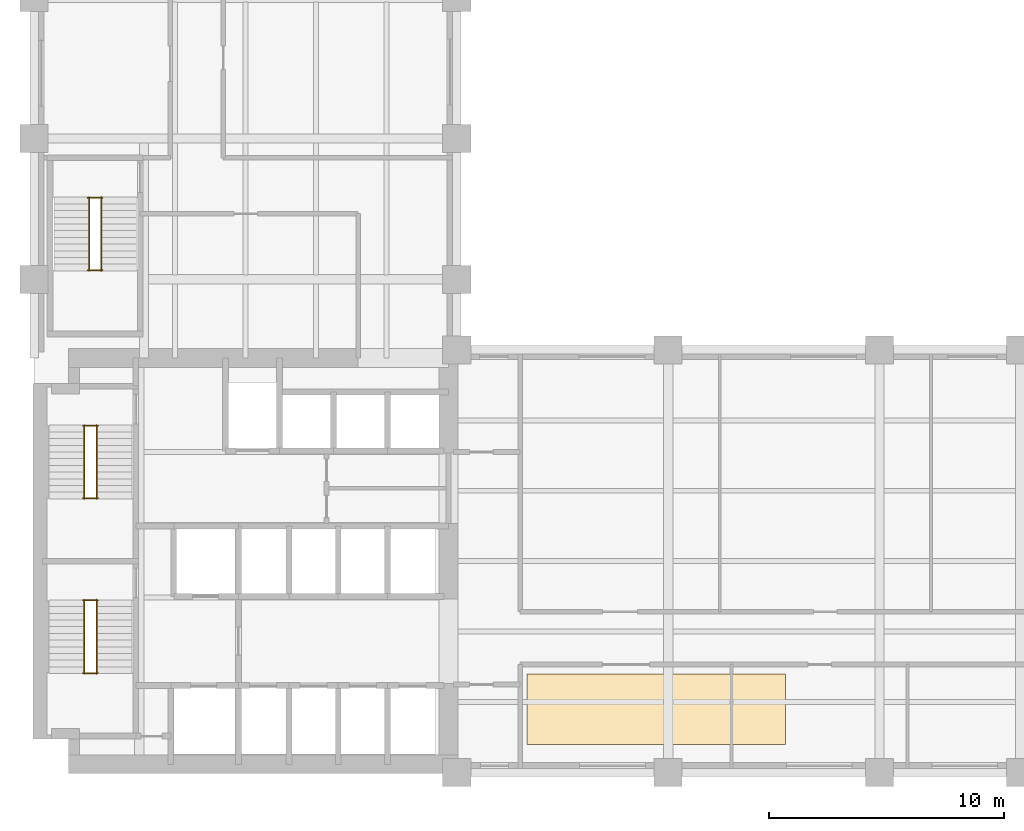
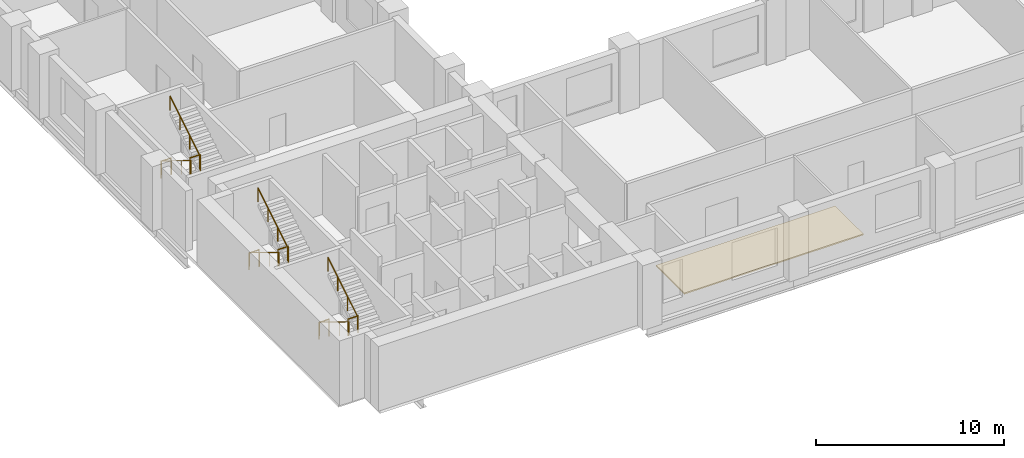
# One storey, part 7 of 7: 12 railings, 1 covering.
"""IFC4 building model written with IfcOpenShell, lengths in metres."""

from ifc_helpers import new_model, si_unit, direction, frame, origin, origin_2d, place, context, subcontext, project, spatial, polyline, circle, outline, extrude, material, layer, layer_set, type_object, element, save


model = new_model("IFC4")

# Units and contexts
model_context = context("Model", 3, precision=1e-05, world=origin(), true_north=direction((0.0, 1.0)))
body_context = subcontext(model_context, "Body", "Model", "MODEL_VIEW")
ifc_project = project(units=[si_unit("LENGTHUNIT", "METRE"), si_unit("AREAUNIT", "SQUARE_METRE"), si_unit("VOLUMEUNIT", "CUBIC_METRE"), si_unit("PLANEANGLEUNIT", "RADIAN"), si_unit("MASSUNIT", "GRAM", prefix="KILO")], contexts=[model_context])

# Site, building, storey
site_placement = place(None, origin())
site = spatial("IfcSite", under=ifc_project, at=site_placement, CompositionType="ELEMENT")
building_placement = place(site_placement, origin())
building = spatial("IfcBuilding", under=site, at=building_placement, Name="Mawjdan Bourse Tower", CompositionType="ELEMENT")
storey_placement = place(building_placement, frame((0.0, 0.0, 80.39990234375)))
storey = spatial("IfcBuildingStorey", under=building, at=storey_placement, Name="L18", CompositionType="ELEMENT", Elevation=80.39990234375)

# Covering
ifc_material_1 = material(Name="Calcium Sulphate Antistatic Raised Floor Tile")
ifc_layer = layer(ifc_material_1, 0.080078125)
ifc_layer_set = layer_set([ifc_layer], Name="Calcium Sulphate Antistatic Raised Floor Tile")
covering_type = type_object("IfcCoveringType", Name="COV-FLR-450", PredefinedType="FLOORING", material=ifc_layer_set)
covering_placement = place(storey_placement, origin())
element("IfcCovering", 1, at=covering_placement, inside=storey, type_object=covering_type, Name="L18 Antistatic Raised Access Trading Floor", PredefinedType="FLOORING", context=body_context, shape_type="SweptSolid", body=[
    extrude(outline(polyline([(27.0, 4.199951171875), (38.0, 4.199951171875), (38.0, 7.199951171875), (27.0, 7.199951171875), (27.0, 4.199951171875)])), origin(), (0.0, 0.0, 1.0), 0.080078125),
])

# Railings
ifc_material_2 = material(Name="Structural Steel S355", Category="steel")
railing_type_1 = type_object("IfcRailingType", Name="RLG-GRD-1100", PredefinedType="GUARDRAIL", material=ifc_material_2)
for number, where, name in (
    (2, (8.090087890625, 7.235107421875, 2.10009765625), "L18 ST1 Landing Guardrail GL-MID"),
    (3, (8.090087890625, 10.330078125, 0.0), "L18 ST1 Landing Guardrail GL-BOT"),
    (4, (8.090087890625, 14.675048828125, 2.10009765625), "L18 ST2 Landing Guardrail GL-MID"),
    (5, (8.090087890625, 17.77001953125, 0.0), "L18 ST2 Landing Guardrail GL-BOT"),
    (6, (8.2900390625, 24.385009765625, 2.10009765625), "L18 ST3 Landing Guardrail GL-MID"),
    (7, (8.2900390625, 27.47998046875, 0.0), "L18 ST3 Landing Guardrail GL-BOT"),
):
    element("IfcRailing", number, at=place(storey_placement, frame(where)), inside=storey, type_object=railing_type_1, Name=name, PredefinedType="GUARDRAIL", context=body_context, shape_type="SweptSolid", body=[
        extrude(circle(Radius=0.02490234375, at=origin_2d()), frame((0.0, 0.0, 1.0751953125), z_axis=(1.0, 0.0, 0.0), x_axis=(0.0, 1.0, 0.0)), (0.0, 0.0, 1.0), 0.619873046875),
        extrude(circle(Radius=0.02099609375, at=origin_2d()), origin(), (0.0, 0.0, 1.0), 1.050048828125),
        extrude(circle(Radius=0.02099609375, at=origin_2d()), frame((0.619873046875, 0.0, 0.0)), (0.0, 0.0, 1.0), 1.050048828125),
    ])
ifc_material_3 = material(Name="Brushed Stainless Steel", Category="steel")
railing_type_2 = type_object("IfcRailingType", Name="RLG-HND-920", PredefinedType="HANDRAIL", material=ifc_material_3)
railing_1_placement = place(storey_placement, frame((8.139892578125, 10.35009765625, 0.175048828125)))
element("IfcRailing", 8, at=railing_1_placement, inside=storey, type_object=railing_type_2, Name="L18 ST1 Flight Handrail HR1", PredefinedType="HANDRAIL", context=body_context, shape_type="SweptSolid", body=[
    extrude(circle(Radius=0.0224609375, at=origin_2d()), frame((0.0, 0.0, 0.8974609375), z_axis=(0.0, -0.852166034122, 0.523271488128), x_axis=(1.0, 0.0, 0.0)), (0.0, 0.0, 1.0), 3.678955078125),
    extrude(circle(Radius=0.01904296875, at=origin_2d()), origin(), (0.0, 0.0, 1.0), 0.875),
    extrude(circle(Radius=0.01904296875, at=origin_2d()), frame((0.0, -1.044921875, 0.6416015625)), (0.0, 0.0, 1.0), 0.875),
    extrude(circle(Radius=0.01904296875, at=origin_2d()), frame((0.0, -2.090087890625, 1.283447265625)), (0.0, 0.0, 1.0), 0.875),
    extrude(circle(Radius=0.01904296875, at=origin_2d()), frame((0.0, -3.135009765625, 1.925048828125)), (0.0, 0.0, 1.0), 0.875),
])
railing_2_placement = place(storey_placement, frame((8.659912109375, 7.215087890625, 2.275146484375)))
element("IfcRailing", 9, at=railing_2_placement, inside=storey, type_object=railing_type_2, Name="L18 ST1 Flight Handrail HR2", PredefinedType="HANDRAIL", context=body_context, shape_type="SweptSolid", body=[
    extrude(circle(Radius=0.0224609375, at=origin_2d()), frame((0.0, 0.0, 0.8974609375), z_axis=(0.0, 0.852166034122, 0.523271488128), x_axis=(-1.0, 0.0, 0.0)), (0.0, 0.0, 1.0), 3.678955078125),
    extrude(circle(Radius=0.01904296875, at=origin_2d()), origin(), (0.0, 0.0, 1.0), 0.875),
    extrude(circle(Radius=0.01904296875, at=origin_2d()), frame((0.0, 1.044921875, 0.6416015625)), (0.0, 0.0, 1.0), 0.875),
    extrude(circle(Radius=0.01904296875, at=origin_2d()), frame((0.0, 2.090087890625, 1.283447265625)), (0.0, 0.0, 1.0), 0.875),
    extrude(circle(Radius=0.01904296875, at=origin_2d()), frame((0.0, 3.135009765625, 1.925048828125)), (0.0, 0.0, 1.0), 0.875),
])
railing_3_placement = place(storey_placement, frame((8.139892578125, 17.7900390625, 0.175048828125)))
element("IfcRailing", 10, at=railing_3_placement, inside=storey, type_object=railing_type_2, Name="L18 ST2 Flight Handrail HR1", PredefinedType="HANDRAIL", context=body_context, shape_type="SweptSolid", body=[
    extrude(circle(Radius=0.0224609375, at=origin_2d()), frame((0.0, 0.0, 0.8974609375), z_axis=(0.0, -0.852166034122, 0.523271488128), x_axis=(1.0, 0.0, 0.0)), (0.0, 0.0, 1.0), 3.678955078125),
    extrude(circle(Radius=0.01904296875, at=origin_2d()), origin(), (0.0, 0.0, 1.0), 0.875),
    extrude(circle(Radius=0.01904296875, at=origin_2d()), frame((0.0, -1.044921875, 0.6416015625)), (0.0, 0.0, 1.0), 0.875),
    extrude(circle(Radius=0.01904296875, at=origin_2d()), frame((0.0, -2.090087890625, 1.283447265625)), (0.0, 0.0, 1.0), 0.875),
    extrude(circle(Radius=0.01904296875, at=origin_2d()), frame((0.0, -3.135009765625, 1.925048828125)), (0.0, 0.0, 1.0), 0.875),
])
railing_4_placement = place(storey_placement, frame((8.659912109375, 14.655029296875, 2.275146484375)))
element("IfcRailing", 11, at=railing_4_placement, inside=storey, type_object=railing_type_2, Name="L18 ST2 Flight Handrail HR2", PredefinedType="HANDRAIL", context=body_context, shape_type="SweptSolid", body=[
    extrude(circle(Radius=0.0224609375, at=origin_2d()), frame((0.0, 0.0, 0.8974609375), z_axis=(0.0, 0.852166034122, 0.523271488128), x_axis=(-1.0, 0.0, 0.0)), (0.0, 0.0, 1.0), 3.678955078125),
    extrude(circle(Radius=0.01904296875, at=origin_2d()), origin(), (0.0, 0.0, 1.0), 0.875),
    extrude(circle(Radius=0.01904296875, at=origin_2d()), frame((0.0, 1.044921875, 0.6416015625)), (0.0, 0.0, 1.0), 0.875),
    extrude(circle(Radius=0.01904296875, at=origin_2d()), frame((0.0, 2.090087890625, 1.283447265625)), (0.0, 0.0, 1.0), 0.875),
    extrude(circle(Radius=0.01904296875, at=origin_2d()), frame((0.0, 3.135009765625, 1.925048828125)), (0.0, 0.0, 1.0), 0.875),
])
railing_5_placement = place(storey_placement, frame((8.340087890625, 27.5, 0.175048828125)))
element("IfcRailing", 12, at=railing_5_placement, inside=storey, type_object=railing_type_2, Name="L18 ST3 Flight Handrail HR1", PredefinedType="HANDRAIL", context=body_context, shape_type="SweptSolid", body=[
    extrude(circle(Radius=0.0224609375, at=origin_2d()), frame((0.0, 0.0, 0.8974609375), z_axis=(0.0, -0.852166034122, 0.523271488128), x_axis=(1.0, 0.0, 0.0)), (0.0, 0.0, 1.0), 3.678955078125),
    extrude(circle(Radius=0.01904296875, at=origin_2d()), origin(), (0.0, 0.0, 1.0), 0.875),
    extrude(circle(Radius=0.01904296875, at=origin_2d()), frame((0.0, -1.044921875, 0.6416015625)), (0.0, 0.0, 1.0), 0.875),
    extrude(circle(Radius=0.01904296875, at=origin_2d()), frame((0.0, -2.090087890625, 1.283447265625)), (0.0, 0.0, 1.0), 0.875),
    extrude(circle(Radius=0.01904296875, at=origin_2d()), frame((0.0, -3.135009765625, 1.925048828125)), (0.0, 0.0, 1.0), 0.875),
])
railing_6_placement = place(storey_placement, frame((8.860107421875, 24.364990234375, 2.275146484375)))
element("IfcRailing", 13, at=railing_6_placement, inside=storey, type_object=railing_type_2, Name="L18 ST3 Flight Handrail HR2", PredefinedType="HANDRAIL", context=body_context, shape_type="SweptSolid", body=[
    extrude(circle(Radius=0.0224609375, at=origin_2d()), frame((0.0, 0.0, 0.8974609375), z_axis=(0.0, 0.852166034122, 0.523271488128), x_axis=(-1.0, 0.0, 0.0)), (0.0, 0.0, 1.0), 3.678955078125),
    extrude(circle(Radius=0.01904296875, at=origin_2d()), origin(), (0.0, 0.0, 1.0), 0.875),
    extrude(circle(Radius=0.01904296875, at=origin_2d()), frame((0.0, 1.044921875, 0.6416015625)), (0.0, 0.0, 1.0), 0.875),
    extrude(circle(Radius=0.01904296875, at=origin_2d()), frame((0.0, 2.090087890625, 1.283447265625)), (0.0, 0.0, 1.0), 0.875),
    extrude(circle(Radius=0.01904296875, at=origin_2d()), frame((0.0, 3.135009765625, 1.925048828125)), (0.0, 0.0, 1.0), 0.875),
])

save(model, "model.ifc")
